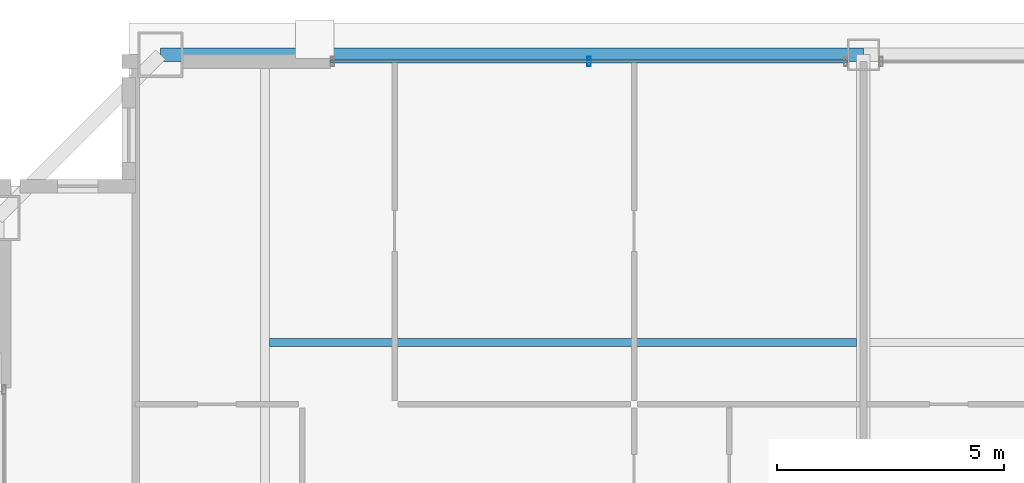
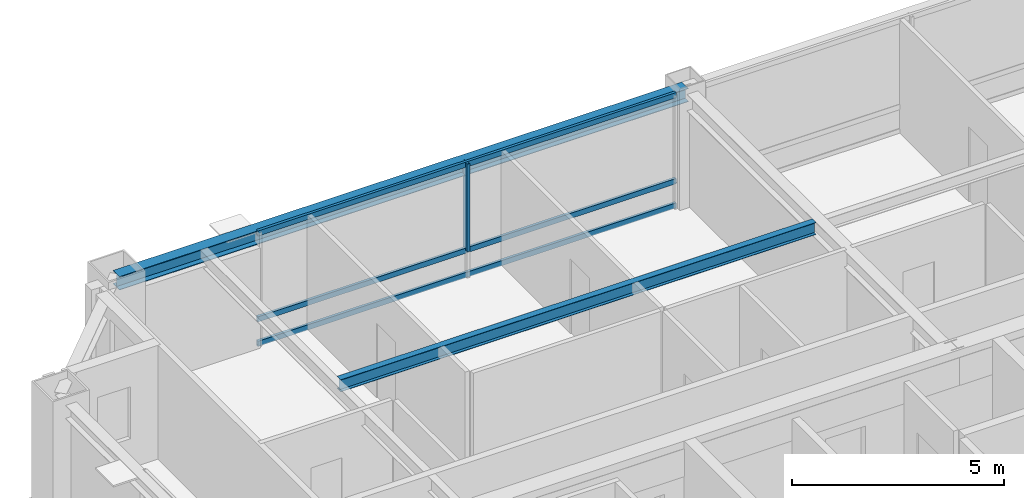
# One storey, part 17 of 35: 4 members, 2 beams, 1 element without a shape of its own.
"""IFC4 building model written with IfcOpenShell, lengths in metres."""

from ifc_helpers import new_model, si_unit, direction, frame, origin, origin_2d, place, context, subcontext, project, spatial, hollow_rectangle, i_section, extrude, source, transform, mapped, material, layer, layer_set, material_profile, profile_set, type_object, element, aggregate, save


model = new_model("IFC4")

# Units and contexts
model_context = context("Model", 3, precision=1e-05, world=origin(), true_north=direction((0.0, 1.0)))
body_context = subcontext(model_context, "Body", "Model", "MODEL_VIEW")
ifc_project = project(units=[si_unit("LENGTHUNIT", "METRE"), si_unit("AREAUNIT", "SQUARE_METRE"), si_unit("VOLUMEUNIT", "CUBIC_METRE"), si_unit("PLANEANGLEUNIT", "RADIAN"), si_unit("MASSUNIT", "GRAM", prefix="KILO"), si_unit("THERMODYNAMICTEMPERATUREUNIT", "KELVIN"), si_unit("POWERUNIT", "WATT")], contexts=[model_context])

# Site, building, storey
site_placement = place(None, origin())
site = spatial("IfcSite", under=ifc_project, at=site_placement, CompositionType="ELEMENT")
building_placement = place(site_placement, origin())
building = spatial("IfcBuilding", under=site, at=building_placement, Name="Yuzanri Waterfront Tower", CompositionType="ELEMENT")
storey_placement = place(building_placement, frame((0.0, 0.0, 311.199951171875)))
storey = spatial("IfcBuildingStorey", under=building, at=storey_placement, Name="L83", CompositionType="ELEMENT", Elevation=311.199951171875)

# Beams
ifc_material_1 = material(Name="Steel Q355B", Category="steel")
ifc_material_profile_1 = material_profile(ifc_material_1, i_section(OverallWidth=0.175048828125, OverallDepth=0.35009765625, WebThickness=0.007080078125, FlangeThickness=0.010986328125, at=origin_2d()), Name="HN 350x175x7x11")
ifc_profile_set_1 = profile_set([ifc_material_profile_1], Name="Steel Q355B")
beam_type_1 = type_object("IfcBeamType", Name="Floor Joist Q355B HN 350x175", PredefinedType="JOIST", material=ifc_profile_set_1)
shared_shape_1 = source(origin(), body_context, "Body", "SweptSolid", [
    extrude(i_section(OverallWidth=0.175048828125, OverallDepth=0.35009765625, WebThickness=0.007080078125, FlangeThickness=0.010986328125, at=origin_2d()), origin(), (0.0, 0.0, 1.0), 12.9501953125),
])
beam_1_placement = place(storey_placement, frame((23.89990234375, 38.550048828125, 3.10498046875), z_axis=(1.0, 0.0, 0.0), x_axis=(0.0, 1.0, 0.0)))
element("IfcBeam", 1, at=beam_1_placement, inside=storey, type_object=beam_type_1, Name="L83 North Bay Joist W", PredefinedType="JOIST", context=body_context, shape_type="MappedRepresentation", body=[
    mapped(shared_shape_1, transform((0.0, 0.0, 0.0), scale=1.0)),
])
ifc_material_2 = material(Name="Steel Q355B", Category="steel")
ifc_material_profile_2 = material_profile(ifc_material_2, i_section(OverallWidth=0.300048828125, OverallDepth=0.389892578125, WebThickness=0.010009765625, FlangeThickness=0.01611328125, at=origin_2d()), Name="HM 390x300x10x16")
ifc_profile_set_2 = profile_set([ifc_material_profile_2], Name="Steel Q355B")
beam_type_2 = type_object("IfcBeamType", Name="Perimeter Spandrel Q355B HM 390x300", PredefinedType="SPANDREL", material=ifc_profile_set_2)
shared_shape_2 = source(origin(), body_context, "Body", "SweptSolid", [
    extrude(i_section(OverallWidth=0.300048828125, OverallDepth=0.389892578125, WebThickness=0.010009765625, FlangeThickness=0.01611328125, at=origin_2d()), origin(), (0.0, 0.0, 1.0), 15.5),
])
beam_2_placement = place(storey_placement, frame((37.0, 44.89990234375, 3.0849609375), z_axis=(-1.0, 0.0, 0.0), x_axis=(0.0, -1.0, 0.0)))
element("IfcBeam", 2, at=beam_2_placement, inside=storey, type_object=beam_type_2, Name="L83 Perimeter Spandrel N2-N1", PredefinedType="SPANDREL", context=body_context, shape_type="MappedRepresentation", body=[
    mapped(shared_shape_2, transform((0.0, 0.0, 0.0), scale=1.0)),
])

# Curtain wall, members
ifc_material_3 = material(Name="Anodized Architectural Bronze", Category="metal")
ifc_layer = layer(ifc_material_3, 0.159912109375)
ifc_layer_set = layer_set([ifc_layer], Name="Anodized Architectural Bronze")
curtain_wall_type = type_object("IfcCurtainWallType", Name="Anodized Bronze High-Rise Penthouse High-Wind Unitized Curtain Wall 6900", PredefinedType="NOTDEFINED", material=ifc_layer_set)
curtain_wall_placement = place(storey_placement, origin())
curtain_wall = element("IfcCurtainWall", 3, at=curtain_wall_placement, inside=storey, type_object=curtain_wall_type, Name="L83 Curtain Wall CW-L83-NL", PredefinedType="NOTDEFINED")
ifc_material_4 = material(Name="Anodized Architectural Bronze", Category="metal")
ifc_material_profile_3 = material_profile(ifc_material_4, hollow_rectangle(XDim=0.074951171875, YDim=0.199951171875, WallThickness=0.00390625, at=origin_2d()), Name="CWM 75x200")
ifc_profile_set_3 = profile_set([ifc_material_profile_3], Name="Anodized Architectural Bronze")
member_type_1 = type_object("IfcMemberType", Name="Anodized Bronze Primary Curtain-Wall Mullion 75x200", PredefinedType="MULLION", material=ifc_profile_set_3)
shared_shape_3 = source(origin(), body_context, "Body", "SweptSolid", [
    extrude(hollow_rectangle(XDim=0.074951171875, YDim=0.199951171875, WallThickness=0.00390625, at=origin_2d()), origin(), (0.0, 0.0, 1.0), 2.52392578125),
])
member_1_placement = place(storey_placement, frame((30.949951171875, 44.75, 0.756103515625), z_axis=(0.0, 0.0, 1.0), x_axis=(1.0, 0.0, 0.0)))
member_1 = element("IfcMember", 4, at=member_1_placement, type_object=member_type_1, Name="CW-L83-NL Upper Mullion 01", PredefinedType="MULLION", context=body_context, shape_type="MappedRepresentation", body=[
    mapped(shared_shape_3, transform((0.0, 0.0, 0.0), scale=1.0)),
])
ifc_material_5 = material(Name="Anodized Architectural Bronze", Category="metal")
ifc_material_profile_4 = material_profile(ifc_material_5, hollow_rectangle(XDim=0.074951171875, YDim=0.14990234375, WallThickness=0.00390625, at=origin_2d()), Name="CWT 75x150")
ifc_profile_set_4 = profile_set([ifc_material_profile_4], Name="Anodized Architectural Bronze")
member_type_2 = type_object("IfcMemberType", Name="Anodized Bronze Primary Curtain-Wall Transom 75x150", PredefinedType="USERDEFINED", material=ifc_profile_set_4)
shared_shape_4 = source(origin(), body_context, "Body", "SweptSolid", [
    extrude(hollow_rectangle(XDim=0.074951171875, YDim=0.14990234375, WallThickness=0.00390625, at=origin_2d()), origin(), (0.0, 0.0, 1.0), 11.39990234375),
])
member_2_placement = place(storey_placement, frame((25.25, 44.75, 0.050048828125), z_axis=(1.0, 0.0, 0.0), x_axis=(0.0, 1.0, 0.0)))
member_2 = element("IfcMember", 5, at=member_2_placement, type_object=member_type_2, Name="CW-L83-NL Transom 1", ObjectType="TRANSOM", PredefinedType="USERDEFINED", context=body_context, shape_type="MappedRepresentation", body=[
    mapped(shared_shape_4, transform((0.0, 0.0, 0.0), scale=1.0)),
])
member_3_placement = place(storey_placement, frame((25.25, 44.75, 0.754150390625), z_axis=(1.0, 0.0, 0.0), x_axis=(0.0, 1.0, 0.0)))
member_3 = element("IfcMember", 6, at=member_3_placement, type_object=member_type_2, Name="CW-L83-NL Transom 2", ObjectType="TRANSOM", PredefinedType="USERDEFINED", context=body_context, shape_type="MappedRepresentation", body=[
    mapped(shared_shape_4, transform((0.0, 0.0, 0.0), scale=1.0)),
])
member_4_placement = place(storey_placement, frame((25.25, 44.75, 3.22998046875), z_axis=(1.0, 0.0, 0.0), x_axis=(0.0, 1.0, 0.0)))
member_4 = element("IfcMember", 7, at=member_4_placement, type_object=member_type_2, Name="CW-L83-NL Transom 3", ObjectType="TRANSOM", PredefinedType="USERDEFINED", context=body_context, shape_type="MappedRepresentation", body=[
    mapped(shared_shape_4, transform((0.0, 0.0, 0.0), scale=1.0)),
])
aggregate(curtain_wall, [member_1, member_2, member_3, member_4])

save(model, "model.ifc")
